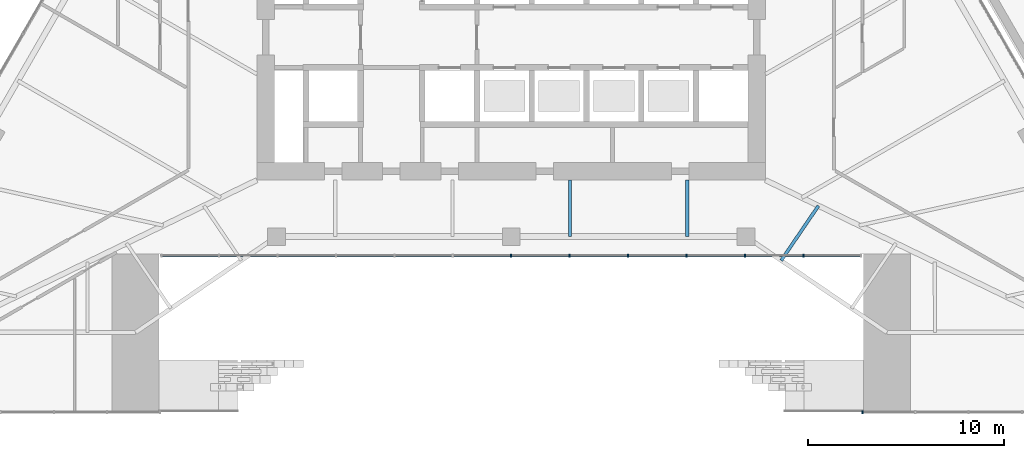
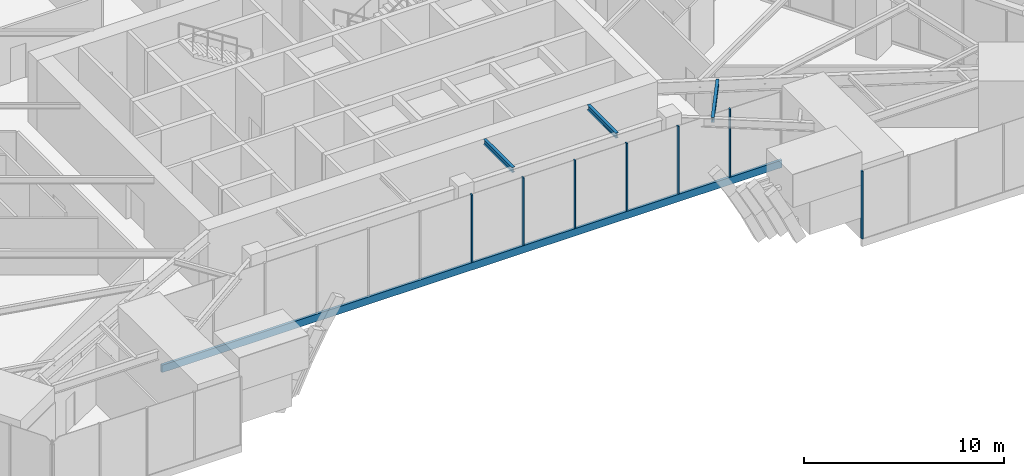
# One storey, part 6 of 30: 8 members, 3 beams, 2 elements without a shape of their own.
"""IFC4 building model written with IfcOpenShell, lengths in metres."""

from ifc_helpers import new_model, si_unit, direction, frame, origin, origin_2d, place, context, subcontext, project, spatial, rectangle, i_section, extrude, material, layer, layer_set, material_profile, profile_set, type_object, element, aggregate, save


model = new_model("IFC4")

# Units and contexts
model_context = context("Model", 3, precision=1e-05, world=origin(), true_north=direction((0.0, 1.0)))
body_context = subcontext(model_context, "Body", "Model", "MODEL_VIEW")
ifc_project = project(units=[si_unit("LENGTHUNIT", "METRE"), si_unit("AREAUNIT", "SQUARE_METRE"), si_unit("VOLUMEUNIT", "CUBIC_METRE"), si_unit("PLANEANGLEUNIT", "RADIAN"), si_unit("MASSUNIT", "GRAM", prefix="KILO")], contexts=[model_context])

# Site, building, storey
site_placement = place(None, origin())
site = spatial("IfcSite", under=ifc_project, at=site_placement, CompositionType="ELEMENT")
building_placement = place(site_placement, origin())
building = spatial("IfcBuilding", under=site, at=building_placement, Name="Firuza Gate Tower and Library", CompositionType="ELEMENT")
storey_placement = place(building_placement, frame((0.0, 0.0, 12.60009765625)))
storey = spatial("IfcBuildingStorey", under=building, at=storey_placement, Name="L02", CompositionType="ELEMENT", Elevation=12.60009765625)

# Curtain wall, members
ifc_material_1 = material(Name="Aluminium 6063-T6", Category="aluminium")
ifc_layer_1 = layer(ifc_material_1, 0.14990234375)
ifc_layer_set_1 = layer_set([ifc_layer_1], Name="Stick curtain wall, gate lobby")
curtain_wall_type_1 = type_object("IfcCurtainWallType", Name="Stick curtain wall, gate lobby", PredefinedType="NOTDEFINED", material=ifc_layer_set_1)
placement = place(storey_placement, origin())
curtain_wall_1 = element("IfcCurtainWall", 1, at=placement, inside=storey, type_object=curtain_wall_type_1, Name="CW7 L02 gate lobby", PredefinedType="NOTDEFINED")
ifc_material_2 = material(Name="Aluminium 6063-T6", Category="aluminium")
ifc_material_profile_1 = material_profile(ifc_material_2, rectangle(XDim=0.14990234375, YDim=0.080078125, at=origin_2d()))
ifc_profile_set_1 = profile_set([ifc_material_profile_1], Name="Aluminium 6063-T6")
member_type_1 = type_object("IfcMemberType", Name="Curtain wall mullion 80x150", PredefinedType="MULLION", material=ifc_profile_set_1)
member_1_placement = place(storey_placement, frame((75.0, 62.140380859375, 0.14990234375), z_axis=(0.0, 0.0, 1.0), x_axis=(0.0, 1.0, 0.0)))
member_1 = element("IfcMember", 2, at=member_1_placement, type_object=member_type_1, Name="Mullion", PredefinedType="MULLION", context=body_context, shape_type="SweptSolid", body=[
    extrude(rectangle(XDim=0.14990234375, YDim=0.080078125, at=origin_2d()), origin(), (0.0, 0.0, 1.0), 4.14990234375),
])
member_2_placement = place(storey_placement, frame((77.987548828125, 62.140380859375, 0.14990234375), z_axis=(0.0, 0.0, 1.0), x_axis=(0.0, 1.0, 0.0)))
member_2 = element("IfcMember", 3, at=member_2_placement, type_object=member_type_1, Name="Mullion", PredefinedType="MULLION", context=body_context, shape_type="SweptSolid", body=[
    extrude(rectangle(XDim=0.14990234375, YDim=0.080078125, at=origin_2d()), origin(), (0.0, 0.0, 1.0), 4.14990234375),
])
member_3_placement = place(storey_placement, frame((80.97509765625, 62.140380859375, 0.14990234375), z_axis=(0.0, 0.0, 1.0), x_axis=(0.0, 1.0, 0.0)))
member_3 = element("IfcMember", 4, at=member_3_placement, type_object=member_type_1, Name="Mullion", PredefinedType="MULLION", context=body_context, shape_type="SweptSolid", body=[
    extrude(rectangle(XDim=0.14990234375, YDim=0.080078125, at=origin_2d()), origin(), (0.0, 0.0, 1.0), 4.14990234375),
])
member_4_placement = place(storey_placement, frame((83.96240234375, 62.140380859375, 0.14990234375), z_axis=(0.0, 0.0, 1.0), x_axis=(0.0, 1.0, 0.0)))
member_4 = element("IfcMember", 5, at=member_4_placement, type_object=member_type_1, Name="Mullion", PredefinedType="MULLION", context=body_context, shape_type="SweptSolid", body=[
    extrude(rectangle(XDim=0.14990234375, YDim=0.080078125, at=origin_2d()), origin(), (0.0, 0.0, 1.0), 4.14990234375),
])
member_5_placement = place(storey_placement, frame((86.949951171875, 62.140380859375, 0.14990234375), z_axis=(0.0, 0.0, 1.0), x_axis=(0.0, 1.0, 0.0)))
member_5 = element("IfcMember", 6, at=member_5_placement, type_object=member_type_1, Name="Mullion", PredefinedType="MULLION", context=body_context, shape_type="SweptSolid", body=[
    extrude(rectangle(XDim=0.14990234375, YDim=0.080078125, at=origin_2d()), origin(), (0.0, 0.0, 1.0), 4.14990234375),
])
member_6_placement = place(storey_placement, frame((89.9375, 62.140380859375, 0.14990234375), z_axis=(0.0, 0.0, 1.0), x_axis=(0.0, 1.0, 0.0)))
member_6 = element("IfcMember", 7, at=member_6_placement, type_object=member_type_1, Name="Mullion", PredefinedType="MULLION", context=body_context, shape_type="SweptSolid", body=[
    extrude(rectangle(XDim=0.14990234375, YDim=0.080078125, at=origin_2d()), origin(), (0.0, 0.0, 1.0), 4.14990234375),
])

# Curtain wall, member
ifc_material_3 = material(Name="Aluminium 6063-T6", Category="aluminium")
ifc_layer_2 = layer(ifc_material_3, 0.14990234375)
ifc_layer_set_2 = layer_set([ifc_layer_2], Name="Stick curtain wall, podium")
curtain_wall_type_2 = type_object("IfcCurtainWallType", Name="Stick curtain wall, podium", PredefinedType="NOTDEFINED", material=ifc_layer_set_2)
curtain_wall_2 = element("IfcCurtainWall", 8, at=placement, inside=storey, type_object=curtain_wall_type_2, Name="CW5 L02 S", PredefinedType="NOTDEFINED")
member_7_placement = place(storey_placement, frame((92.965087890625, 54.140380859375, 0.14990234375), z_axis=(0.0, 0.0, 1.0), x_axis=(0.0, 1.0, 0.0)))
member_7 = element("IfcMember", 9, at=member_7_placement, type_object=member_type_1, Name="Mullion", PredefinedType="MULLION", context=body_context, shape_type="SweptSolid", body=[
    extrude(rectangle(XDim=0.14990234375, YDim=0.080078125, at=origin_2d()), origin(), (0.0, 0.0, 1.0), 4.14990234375),
])
aggregate(curtain_wall_2, [member_7])

# Member
ifc_material_4 = material(Name="Aluminium 6063-T6", Category="aluminium")
ifc_material_profile_2 = material_profile(ifc_material_4, rectangle(XDim=0.14990234375, YDim=0.449951171875, at=origin_2d()))
ifc_profile_set_2 = profile_set([ifc_material_profile_2], Name="Aluminium 6063-T6")
member_type_2 = type_object("IfcMemberType", Name="Curtain wall transom 450x150", PredefinedType="USERDEFINED", material=ifc_profile_set_2)
member_8_placement = place(storey_placement, frame((57.074951171875, 62.140380859375, -0.0751953125), z_axis=(1.0, 0.0, 0.0), x_axis=(0.0, 1.0, 0.0)))
member_8 = element("IfcMember", 10, at=member_8_placement, type_object=member_type_2, Name="Transom", ObjectType="TRANSOM", PredefinedType="USERDEFINED", context=body_context, shape_type="SweptSolid", body=[
    extrude(rectangle(XDim=0.14990234375, YDim=0.449951171875, at=origin_2d()), origin(), (0.0, 0.0, 1.0), 35.85009765625),
])

aggregate(curtain_wall_1, [member_1, member_2, member_3, member_4, member_5, member_6, member_8])

# Beams
ifc_material_5 = material(Name="Steel S355", Category="steel")
ifc_material_profile_3 = material_profile(ifc_material_5, i_section(OverallWidth=0.1650390625, OverallDepth=0.31005859375, WebThickness=0.005859375, FlangeThickness=0.009765625, at=origin_2d()))
ifc_profile_set_3 = profile_set([ifc_material_profile_3], Name="Steel S355")
beam_type = type_object("IfcBeamType", Name="W310x39 Floor beam", PredefinedType="JOIST", material=ifc_profile_set_3)
for number, where, z_axis, x_axis, name in (
    (11, (78.0, 63.115478515625, 4.14501953125), (0.0, 1.0, 0.0), (-1.0, 0.0, 0.0), "Floor beam L02 s32"),
    (12, (84.0, 63.115478515625, 4.14501953125), (0.0, 1.0, 0.0), (-1.0, 0.0, 0.0), "Floor beam L02 s33"),
):
    element("IfcBeam", number, at=place(storey_placement, frame(where, z_axis=z_axis, x_axis=x_axis)), inside=storey, type_object=beam_type, Name=name, PredefinedType="JOIST", context=body_context, shape_type="SweptSolid", body=[
        extrude(i_section(OverallWidth=0.1650390625, OverallDepth=0.31005859375, WebThickness=0.005859375, FlangeThickness=0.009765625, at=origin_2d()), origin(), (0.0, 0.0, 1.0), 2.884521484375),
    ])
beam_placement = place(storey_placement, frame((88.800048828125, 61.890380859375, 4.14501953125), z_axis=(0.562593933168, 0.826733370781, 0.0), x_axis=(-0.826733370781, 0.562593933168, 0.0)))
element("IfcBeam", 13, at=beam_placement, inside=storey, type_object=beam_type, Name="Floor beam L02 s40", PredefinedType="JOIST", context=body_context, shape_type="SweptSolid", body=[
    extrude(i_section(OverallWidth=0.1650390625, OverallDepth=0.31005859375, WebThickness=0.005859375, FlangeThickness=0.009765625, at=origin_2d()), origin(), (0.0, 0.0, 1.0), 3.386474609375),
])

save(model, "model.ifc")
